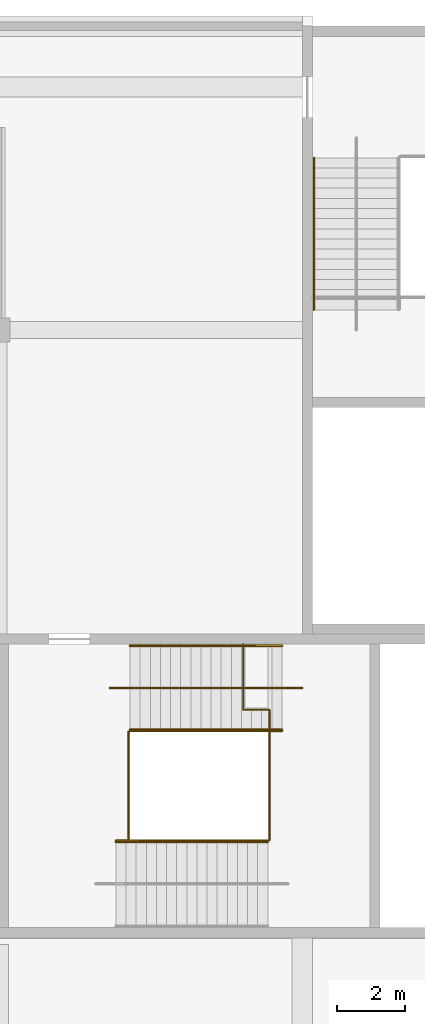
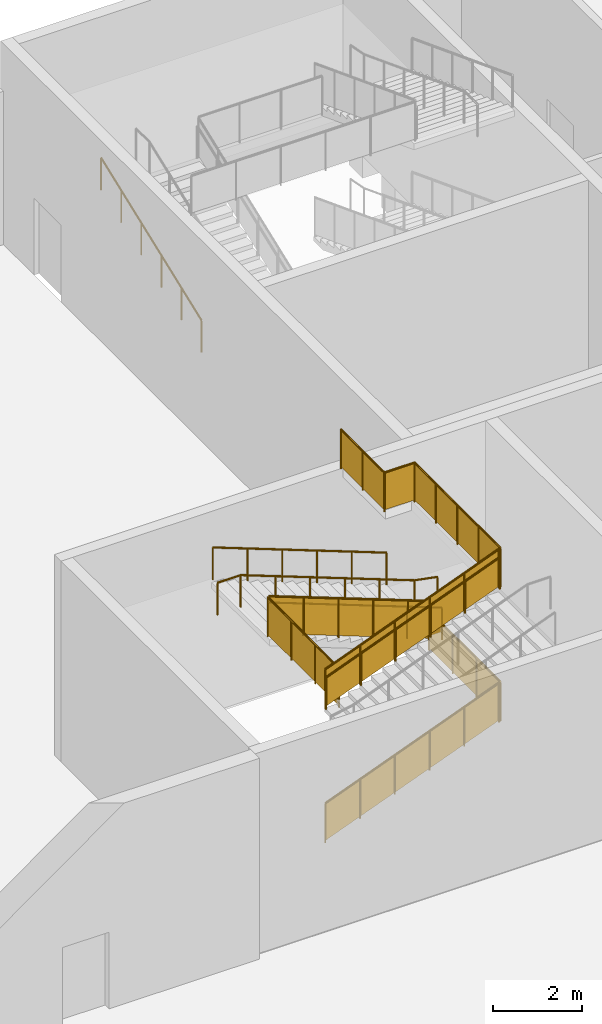
# One storey, part 68 of 84: 11 railings.
"""IFC4 building model written with IfcOpenShell, lengths in metres."""

from ifc_helpers import new_model, si_unit, direction, frame, origin, origin_2d, place, context, subcontext, project, spatial, polyline, circle, outline, extrude, material, type_object, element, save


model = new_model("IFC4")

# Units and contexts
model_context = context("Model", 3, precision=1e-05, world=origin(), true_north=direction((0.0, 1.0)))
body_context = subcontext(model_context, "Body", "Model", "MODEL_VIEW")
ifc_project = project(units=[si_unit("LENGTHUNIT", "METRE"), si_unit("AREAUNIT", "SQUARE_METRE"), si_unit("VOLUMEUNIT", "CUBIC_METRE"), si_unit("PLANEANGLEUNIT", "RADIAN"), si_unit("MASSUNIT", "GRAM", prefix="KILO")], contexts=[model_context])

# Site, building, storey
site_placement = place(None, origin())
site = spatial("IfcSite", under=ifc_project, at=site_placement, CompositionType="ELEMENT")
building_placement = place(site_placement, origin())
building = spatial("IfcBuilding", under=site, at=building_placement, Name="Silverbay Arena", CompositionType="ELEMENT")
storey_placement = place(building_placement, frame((0.0, 0.0, 28.0)))
storey = spatial("IfcBuildingStorey", under=building, at=storey_placement, Name="L04", CompositionType="ELEMENT", Elevation=28.0)

# Railings
ifc_material_1 = material(Name="Stainless steel", Category="steel")
railing_type_1 = type_object("IfcRailingType", Name="Stair guard 1100", PredefinedType="GUARDRAIL", material=ifc_material_1)
railing_1_placement = place(storey_placement, frame((174.4794921875, 38.875, 0.114501953125)))
element("IfcRailing", 1, at=railing_1_placement, inside=storey, type_object=railing_type_1, Name="Stair ST-SE1 L04 to L05 flight 1 guard left", PredefinedType="GUARDRAIL", context=body_context, shape_type="SweptSolid", body=[
    extrude(circle(Radius=0.02392578125, at=origin_2d()), frame((0.0, 0.0, 1.076171875), z_axis=(0.93417907455, 0.0, 0.356804507641), x_axis=(0.0, 1.0, 0.0)), (0.0, 0.0, 1.0), 4.817138671875),
    extrude(outline(polyline([(-0.008056640625, 0.046875), (0.907958984375, 0.396728515625), (0.907958984375, 1.39990234375), (-0.008056640625, 1.050048828125), (-0.008056640625, 0.046875)])), frame((0.0, 0.0029296875, 0.0), z_axis=(0.0, -1.0, 0.0), x_axis=(1.0, 0.0, 0.0)), (0.0, 0.0, 1.0), 0.006103515625),
    extrude(outline(polyline([(-0.008056640625, 0.390625), (0.907958984375, 0.740478515625), (0.907958984375, 1.74365234375), (-0.008056640625, 1.393798828125), (-0.008056640625, 0.390625)])), frame((0.89990234375, 0.0029296875, 0.0), z_axis=(0.0, -1.0, 0.0), x_axis=(1.0, 0.0, 0.0)), (0.0, 0.0, 1.0), 0.006103515625),
    extrude(outline(polyline([(-0.008056640625, 0.734375), (0.907958984375, 1.084228515625), (0.907958984375, 2.08740234375), (-0.008056640625, 1.737548828125), (-0.008056640625, 0.734375)])), frame((1.800048828125, 0.0029296875, 0.0), z_axis=(0.0, -1.0, 0.0), x_axis=(1.0, 0.0, 0.0)), (0.0, 0.0, 1.0), 0.006103515625),
    extrude(outline(polyline([(-0.008056640625, 1.078125), (0.907958984375, 1.427978515625), (0.907958984375, 2.43115234375), (-0.008056640625, 2.081298828125), (-0.008056640625, 1.078125)])), frame((2.699951171875, 0.0029296875, 0.0), z_axis=(0.0, -1.0, 0.0), x_axis=(1.0, 0.0, 0.0)), (0.0, 0.0, 1.0), 0.006103515625),
    extrude(outline(polyline([(-0.008056640625, 1.421875), (0.907958984375, 1.771728515625), (0.907958984375, 2.77490234375), (-0.008056640625, 2.425048828125), (-0.008056640625, 1.421875)])), frame((3.60009765625, 0.0029296875, 0.0), z_axis=(0.0, -1.0, 0.0), x_axis=(1.0, 0.0, 0.0)), (0.0, 0.0, 1.0), 0.006103515625),
    extrude(circle(Radius=0.02099609375, at=origin_2d()), origin(), (0.0, 0.0, 1.0), 1.052001953125),
    extrude(circle(Radius=0.02099609375, at=origin_2d()), frame((0.89990234375, 0.0, 0.34375)), (0.0, 0.0, 1.0), 1.052001953125),
    extrude(circle(Radius=0.02099609375, at=origin_2d()), frame((1.800048828125, 0.0, 0.6875)), (0.0, 0.0, 1.0), 1.052001953125),
    extrude(circle(Radius=0.02099609375, at=origin_2d()), frame((2.699951171875, 0.0, 1.03125)), (0.0, 0.0, 1.0), 1.052001953125),
    extrude(circle(Radius=0.02099609375, at=origin_2d()), frame((3.60009765625, 0.0, 1.375)), (0.0, 0.0, 1.0), 1.052001953125),
    extrude(circle(Radius=0.02099609375, at=origin_2d()), frame((4.5, 0.0, 1.71875)), (0.0, 0.0, 1.0), 1.052001953125),
])
railing_2_placement = place(storey_placement, frame((179.39990234375, 42.125, 1.947998046875)))
element("IfcRailing", 2, at=railing_2_placement, inside=storey, type_object=railing_type_1, Name="Stair ST-SE1 L04 to L05 flight 2 guard right", PredefinedType="GUARDRAIL", context=body_context, shape_type="SweptSolid", body=[
    extrude(circle(Radius=0.02392578125, at=origin_2d()), frame((0.0, 0.0, 1.076171875), z_axis=(-0.93417907455, 0.0, 0.356804507641), x_axis=(0.0, -1.0, 0.0)), (0.0, 0.0, 1.0), 4.817138671875),
    extrude(outline(polyline([(-0.008056640625, 0.046875), (0.907958984375, 0.396728515625), (0.907958984375, 1.39990234375), (-0.008056640625, 1.050048828125), (-0.008056640625, 0.046875)])), frame((0.0, -0.0029296875, 0.0), z_axis=(0.0, 1.0, 0.0), x_axis=(-1.0, 0.0, 0.0)), (0.0, 0.0, 1.0), 0.006103515625),
    extrude(outline(polyline([(-0.008056640625, 0.390625), (0.907958984375, 0.740478515625), (0.907958984375, 1.74365234375), (-0.008056640625, 1.393798828125), (-0.008056640625, 0.390625)])), frame((-0.89990234375, -0.0029296875, 0.0), z_axis=(0.0, 1.0, 0.0), x_axis=(-1.0, 0.0, 0.0)), (0.0, 0.0, 1.0), 0.006103515625),
    extrude(outline(polyline([(-0.008056640625, 0.734375), (0.907958984375, 1.084228515625), (0.907958984375, 2.08740234375), (-0.008056640625, 1.737548828125), (-0.008056640625, 0.734375)])), frame((-1.800048828125, -0.0029296875, 0.0), z_axis=(0.0, 1.0, 0.0), x_axis=(-1.0, 0.0, 0.0)), (0.0, 0.0, 1.0), 0.006103515625),
    extrude(outline(polyline([(-0.008056640625, 1.078125), (0.907958984375, 1.427978515625), (0.907958984375, 2.43115234375), (-0.008056640625, 2.081298828125), (-0.008056640625, 1.078125)])), frame((-2.699951171875, -0.0029296875, 0.0), z_axis=(0.0, 1.0, 0.0), x_axis=(-1.0, 0.0, 0.0)), (0.0, 0.0, 1.0), 0.006103515625),
    extrude(outline(polyline([(-0.008056640625, 1.421875), (0.907958984375, 1.771728515625), (0.907958984375, 2.77490234375), (-0.008056640625, 2.425048828125), (-0.008056640625, 1.421875)])), frame((-3.60009765625, -0.0029296875, 0.0), z_axis=(0.0, 1.0, 0.0), x_axis=(-1.0, 0.0, 0.0)), (0.0, 0.0, 1.0), 0.006103515625),
    extrude(circle(Radius=0.02099609375, at=origin_2d()), origin(), (0.0, 0.0, 1.0), 1.052001953125),
    extrude(circle(Radius=0.02099609375, at=origin_2d()), frame((-0.89990234375, 0.0, 0.34375)), (0.0, 0.0, 1.0), 1.052001953125),
    extrude(circle(Radius=0.02099609375, at=origin_2d()), frame((-1.800048828125, 0.0, 0.6875)), (0.0, 0.0, 1.0), 1.052001953125),
    extrude(circle(Radius=0.02099609375, at=origin_2d()), frame((-2.699951171875, 0.0, 1.03125)), (0.0, 0.0, 1.0), 1.052001953125),
    extrude(circle(Radius=0.02099609375, at=origin_2d()), frame((-3.60009765625, 0.0, 1.375)), (0.0, 0.0, 1.0), 1.052001953125),
    extrude(circle(Radius=0.02099609375, at=origin_2d()), frame((-4.5, 0.0, 1.71875)), (0.0, 0.0, 1.0), 1.052001953125),
])
railing_3_placement = place(storey_placement, frame((174.4794921875, 38.875, 3.78125)))
element("IfcRailing", 3, at=railing_3_placement, inside=storey, type_object=railing_type_1, Name="Stair ST-SE1 L04 to L05 flight 3 guard left", PredefinedType="GUARDRAIL", context=body_context, shape_type="SweptSolid", body=[
    extrude(circle(Radius=0.02392578125, at=origin_2d()), frame((0.0, 0.0, 1.076171875), z_axis=(0.93417907455, 0.0, 0.356804507641), x_axis=(0.0, 1.0, 0.0)), (0.0, 0.0, 1.0), 4.817138671875),
    extrude(outline(polyline([(-0.008056640625, 0.046875), (0.907958984375, 0.396728515625), (0.907958984375, 1.39990234375), (-0.008056640625, 1.050048828125), (-0.008056640625, 0.046875)])), frame((0.0, 0.0029296875, 0.0), z_axis=(0.0, -1.0, 0.0), x_axis=(1.0, 0.0, 0.0)), (0.0, 0.0, 1.0), 0.006103515625),
    extrude(outline(polyline([(-0.008056640625, 0.390625), (0.907958984375, 0.740478515625), (0.907958984375, 1.74365234375), (-0.008056640625, 1.393798828125), (-0.008056640625, 0.390625)])), frame((0.89990234375, 0.0029296875, 0.0), z_axis=(0.0, -1.0, 0.0), x_axis=(1.0, 0.0, 0.0)), (0.0, 0.0, 1.0), 0.006103515625),
    extrude(outline(polyline([(-0.008056640625, 0.734375), (0.907958984375, 1.084228515625), (0.907958984375, 2.08740234375), (-0.008056640625, 1.737548828125), (-0.008056640625, 0.734375)])), frame((1.800048828125, 0.0029296875, 0.0), z_axis=(0.0, -1.0, 0.0), x_axis=(1.0, 0.0, 0.0)), (0.0, 0.0, 1.0), 0.006103515625),
    extrude(outline(polyline([(-0.008056640625, 1.078125), (0.907958984375, 1.427978515625), (0.907958984375, 2.43115234375), (-0.008056640625, 2.081298828125), (-0.008056640625, 1.078125)])), frame((2.699951171875, 0.0029296875, 0.0), z_axis=(0.0, -1.0, 0.0), x_axis=(1.0, 0.0, 0.0)), (0.0, 0.0, 1.0), 0.006103515625),
    extrude(outline(polyline([(-0.008056640625, 1.421875), (0.907958984375, 1.771728515625), (0.907958984375, 2.77490234375), (-0.008056640625, 2.425048828125), (-0.008056640625, 1.421875)])), frame((3.60009765625, 0.0029296875, 0.0), z_axis=(0.0, -1.0, 0.0), x_axis=(1.0, 0.0, 0.0)), (0.0, 0.0, 1.0), 0.006103515625),
    extrude(circle(Radius=0.02099609375, at=origin_2d()), origin(), (0.0, 0.0, 1.0), 1.052001953125),
    extrude(circle(Radius=0.02099609375, at=origin_2d()), frame((0.89990234375, 0.0, 0.34375)), (0.0, 0.0, 1.0), 1.052001953125),
    extrude(circle(Radius=0.02099609375, at=origin_2d()), frame((1.800048828125, 0.0, 0.6875)), (0.0, 0.0, 1.0), 1.052001953125),
    extrude(circle(Radius=0.02099609375, at=origin_2d()), frame((2.699951171875, 0.0, 1.03125)), (0.0, 0.0, 1.0), 1.052001953125),
    extrude(circle(Radius=0.02099609375, at=origin_2d()), frame((3.60009765625, 0.0, 1.375)), (0.0, 0.0, 1.0), 1.052001953125),
    extrude(circle(Radius=0.02099609375, at=origin_2d()), frame((4.5, 0.0, 1.71875)), (0.0, 0.0, 1.0), 1.052001953125),
])
for number, where, name in (
    (4, (179.029541015625, 42.10009765625, 1.833251953125), "Stair ST-SE1 L04 to L05 landing 1 guard"),
    (5, (174.85009765625, 42.10009765625, 3.666748046875), "Stair ST-SE1 L04 to L05 landing 2 guard"),
):
    element("IfcRailing", number, at=place(storey_placement, frame(where)), inside=storey, type_object=railing_type_1, Name=name, PredefinedType="GUARDRAIL", context=body_context, shape_type="SweptSolid", body=[
        extrude(circle(Radius=0.02392578125, at=origin_2d()), frame((0.0, 0.0, 1.076171875), z_axis=(0.0, -1.0, 0.0), x_axis=(1.0, 0.0, 0.0)), (0.0, 0.0, 1.0), 3.2001953125),
        extrude(outline(polyline([(-0.008056640625, 0.050048828125), (1.07470703125, 0.050048828125), (1.07470703125, 1.052978515625), (-0.008056640625, 1.052978515625), (-0.008056640625, 0.050048828125)])), frame((0.0029296875, 0.0, 0.0), z_axis=(-1.0, 0.0, 0.0), x_axis=(0.0, -1.0, 0.0)), (0.0, 0.0, 1.0), 0.006103515625),
        extrude(outline(polyline([(-0.008056640625, 0.050048828125), (1.07470703125, 0.050048828125), (1.07470703125, 1.052978515625), (-0.008056640625, 1.052978515625), (-0.008056640625, 0.050048828125)])), frame((0.0029296875, -1.066650390625, 0.0), z_axis=(-1.0, 0.0, 0.0), x_axis=(0.0, -1.0, 0.0)), (0.0, 0.0, 1.0), 0.006103515625),
        extrude(outline(polyline([(-0.008056640625, 0.050048828125), (1.07470703125, 0.050048828125), (1.07470703125, 1.052978515625), (-0.008056640625, 1.052978515625), (-0.008056640625, 0.050048828125)])), frame((0.0029296875, -2.133544921875, 0.0), z_axis=(-1.0, 0.0, 0.0), x_axis=(0.0, -1.0, 0.0)), (0.0, 0.0, 1.0), 0.006103515625),
        extrude(circle(Radius=0.02099609375, at=origin_2d()), origin(), (0.0, 0.0, 1.0), 1.052001953125),
        extrude(circle(Radius=0.02099609375, at=origin_2d()), frame((0.0, -1.066650390625, 0.0)), (0.0, 0.0, 1.0), 1.052001953125),
        extrude(circle(Radius=0.02099609375, at=origin_2d()), frame((0.0, -2.133544921875, 0.0)), (0.0, 0.0, 1.0), 1.052001953125),
        extrude(circle(Radius=0.02099609375, at=origin_2d()), frame((0.0, -3.2001953125, 0.0)), (0.0, 0.0, 1.0), 1.052001953125),
    ])
railing_4_placement = place(storey_placement, frame((179.029541015625, 38.89990234375, 5.5)))
element("IfcRailing", 6, at=railing_4_placement, inside=storey, type_object=railing_type_1, Name="Stair ST-SE1 L04 to L05 landing 3 guard", PredefinedType="GUARDRAIL", context=body_context, shape_type="SweptSolid", body=[
    extrude(circle(Radius=0.02392578125, at=origin_2d()), frame((0.0, 0.0, 1.076171875), z_axis=(0.0, 1.0, 0.0), x_axis=(-1.0, 0.0, 0.0)), (0.0, 0.0, 1.0), 3.85009765625),
    extrude(outline(polyline([(-0.008056640625, 0.050048828125), (0.970458984375, 0.050048828125), (0.970458984375, 1.052978515625), (-0.008056640625, 1.052978515625), (-0.008056640625, 0.050048828125)])), frame((-0.0029296875, 0.0, 0.0), z_axis=(1.0, 0.0, 0.0), x_axis=(0.0, 1.0, 0.0)), (0.0, 0.0, 1.0), 0.006103515625),
    extrude(outline(polyline([(-0.008056640625, 0.050048828125), (0.970458984375, 0.050048828125), (0.970458984375, 1.052978515625), (-0.008056640625, 1.052978515625), (-0.008056640625, 0.050048828125)])), frame((-0.0029296875, 0.96240234375, 0.0), z_axis=(1.0, 0.0, 0.0), x_axis=(0.0, 1.0, 0.0)), (0.0, 0.0, 1.0), 0.006103515625),
    extrude(outline(polyline([(-0.008056640625, 0.050048828125), (0.970458984375, 0.050048828125), (0.970458984375, 1.052978515625), (-0.008056640625, 1.052978515625), (-0.008056640625, 0.050048828125)])), frame((-0.0029296875, 1.925048828125, 0.0), z_axis=(1.0, 0.0, 0.0), x_axis=(0.0, 1.0, 0.0)), (0.0, 0.0, 1.0), 0.006103515625),
    extrude(outline(polyline([(-0.008056640625, 0.050048828125), (0.970458984375, 0.050048828125), (0.970458984375, 1.052978515625), (-0.008056640625, 1.052978515625), (-0.008056640625, 0.050048828125)])), frame((-0.0029296875, 2.8876953125, 0.0), z_axis=(1.0, 0.0, 0.0), x_axis=(0.0, 1.0, 0.0)), (0.0, 0.0, 1.0), 0.006103515625),
    extrude(circle(Radius=0.02392578125, at=origin_2d()), frame((0.0, 3.85009765625, 1.076171875), z_axis=(-1.0, 0.0, 0.0), x_axis=(0.0, -1.0, 0.0)), (0.0, 0.0, 1.0), 0.780029296875),
    extrude(outline(polyline([(-0.008056640625, 0.050048828125), (0.7880859375, 0.050048828125), (0.7880859375, 1.052978515625), (-0.008056640625, 1.052978515625), (-0.008056640625, 0.050048828125)])), frame((0.0, 3.84716796875, 0.0), z_axis=(0.0, 1.0, 0.0), x_axis=(-1.0, 0.0, 0.0)), (0.0, 0.0, 1.0), 0.006103515625),
    extrude(circle(Radius=0.02392578125, at=origin_2d()), frame((-0.780029296875, 3.85009765625, 1.076171875), z_axis=(0.0, 1.0, 0.0), x_axis=(-1.0, 0.0, 0.0)), (0.0, 0.0, 1.0), 1.949951171875),
    extrude(outline(polyline([(-0.008056640625, 0.050048828125), (0.98291015625, 0.050048828125), (0.98291015625, 1.052978515625), (-0.008056640625, 1.052978515625), (-0.008056640625, 0.050048828125)])), frame((-0.782958984375, 3.85009765625, 0.0), z_axis=(1.0, 0.0, 0.0), x_axis=(0.0, 1.0, 0.0)), (0.0, 0.0, 1.0), 0.006103515625),
    extrude(outline(polyline([(-0.008056640625, 0.050048828125), (0.98291015625, 0.050048828125), (0.98291015625, 1.052978515625), (-0.008056640625, 1.052978515625), (-0.008056640625, 0.050048828125)])), frame((-0.782958984375, 4.8251953125, 0.0), z_axis=(1.0, 0.0, 0.0), x_axis=(0.0, 1.0, 0.0)), (0.0, 0.0, 1.0), 0.006103515625),
    extrude(circle(Radius=0.02099609375, at=origin_2d()), origin(), (0.0, 0.0, 1.0), 1.052001953125),
    extrude(circle(Radius=0.02099609375, at=origin_2d()), frame((0.0, 0.96240234375, 0.0)), (0.0, 0.0, 1.0), 1.052001953125),
    extrude(circle(Radius=0.02099609375, at=origin_2d()), frame((0.0, 1.925048828125, 0.0)), (0.0, 0.0, 1.0), 1.052001953125),
    extrude(circle(Radius=0.02099609375, at=origin_2d()), frame((0.0, 2.8876953125, 0.0)), (0.0, 0.0, 1.0), 1.052001953125),
    extrude(circle(Radius=0.02099609375, at=origin_2d()), frame((0.0, 3.85009765625, 0.0)), (0.0, 0.0, 1.0), 1.052001953125),
    extrude(circle(Radius=0.02099609375, at=origin_2d()), frame((-0.780029296875, 3.85009765625, 0.0)), (0.0, 0.0, 1.0), 1.052001953125),
    extrude(circle(Radius=0.02099609375, at=origin_2d()), frame((-0.780029296875, 4.8251953125, 0.0)), (0.0, 0.0, 1.0), 1.052001953125),
    extrude(circle(Radius=0.02099609375, at=origin_2d()), frame((-0.780029296875, 5.800048828125, 0.0)), (0.0, 0.0, 1.0), 1.052001953125),
])
ifc_material_2 = material(Name="Stainless steel", Category="steel")
railing_type_2 = type_object("IfcRailingType", Name="Stair handrail 900", PredefinedType="HANDRAIL", material=ifc_material_2)
for number, where, name in (
    (7, (179.39990234375, 44.64990234375, 1.947998046875), "Stair ST-SE1 L04 to L05 flight 2 handrail left"),
    (8, (179.39990234375, 42.1640625, 1.947998046875), "Stair ST-SE1 L04 to L05 flight 2 handrail right"),
):
    element("IfcRailing", number, at=place(storey_placement, frame(where)), inside=storey, type_object=railing_type_2, Name=name, PredefinedType="HANDRAIL", context=body_context, shape_type="SweptSolid", body=[
        extrude(circle(Radius=0.02392578125, at=origin_2d()), frame((0.0, 0.0, 0.8759765625), z_axis=(-0.93417907455, 0.0, 0.356804507641), x_axis=(0.0, -1.0, 0.0)), (0.0, 0.0, 1.0), 4.817138671875),
        extrude(circle(Radius=0.02099609375, at=origin_2d()), origin(), (0.0, 0.0, 1.0), 0.851806640625),
        extrude(circle(Radius=0.02099609375, at=origin_2d()), frame((-0.89990234375, 0.0, 0.34375)), (0.0, 0.0, 1.0), 0.851806640625),
        extrude(circle(Radius=0.02099609375, at=origin_2d()), frame((-1.800048828125, 0.0, 0.6875)), (0.0, 0.0, 1.0), 0.851806640625),
        extrude(circle(Radius=0.02099609375, at=origin_2d()), frame((-2.699951171875, 0.0, 1.03125)), (0.0, 0.0, 1.0), 0.851806640625),
        extrude(circle(Radius=0.02099609375, at=origin_2d()), frame((-3.60009765625, 0.0, 1.375)), (0.0, 0.0, 1.0), 0.851806640625),
        extrude(circle(Radius=0.02099609375, at=origin_2d()), frame((-4.5, 0.0, 1.71875)), (0.0, 0.0, 1.0), 0.851806640625),
    ])
railing_5_placement = place(storey_placement, frame((180.0, 43.39990234375, 1.833251953125)))
element("IfcRailing", 9, at=railing_5_placement, inside=storey, type_object=railing_type_2, Name="Stair ST-SE1 L04 to L05 flight 2 central handrail", PredefinedType="HANDRAIL", context=body_context, shape_type="SweptSolid", body=[
    extrude(circle(Radius=0.02392578125, at=origin_2d()), frame((0.0, 0.0, 0.8759765625), z_axis=(-0.982205411617, 0.0, 0.1878098224), x_axis=(0.0, -1.0, 0.0)), (0.0, 0.0, 1.0), 0.611083984375),
    extrude(circle(Radius=0.02392578125, at=origin_2d()), frame((-0.60009765625, 0.0, 0.99072265625), z_axis=(-0.93417907455, 0.0, 0.356804507641), x_axis=(0.0, -1.0, 0.0)), (0.0, 0.0, 1.0), 4.817138671875),
    extrude(circle(Radius=0.02392578125, at=origin_2d()), frame((-5.10009765625, 0.0, 2.70947265625), z_axis=(-1.0, 0.0, 0.0), x_axis=(0.0, -1.0, 0.0)), (0.0, 0.0, 1.0), 0.599853515625),
    extrude(circle(Radius=0.02099609375, at=origin_2d()), origin(), (0.0, 0.0, 1.0), 0.851806640625),
    extrude(circle(Radius=0.02099609375, at=origin_2d()), frame((-0.60009765625, 0.0, 0.11474609375)), (0.0, 0.0, 1.0), 0.851806640625),
    extrude(circle(Radius=0.02099609375, at=origin_2d()), frame((-1.5, 0.0, 0.45849609375)), (0.0, 0.0, 1.0), 0.851806640625),
    extrude(circle(Radius=0.02099609375, at=origin_2d()), frame((-2.400146484375, 0.0, 0.80224609375)), (0.0, 0.0, 1.0), 0.851806640625),
    extrude(circle(Radius=0.02099609375, at=origin_2d()), frame((-3.300048828125, 0.0, 1.14599609375)), (0.0, 0.0, 1.0), 0.851806640625),
    extrude(circle(Radius=0.02099609375, at=origin_2d()), frame((-4.2001953125, 0.0, 1.48974609375)), (0.0, 0.0, 1.0), 0.851806640625),
    extrude(circle(Radius=0.02099609375, at=origin_2d()), frame((-5.10009765625, 0.0, 1.83349609375)), (0.0, 0.0, 1.0), 0.851806640625),
    extrude(circle(Radius=0.02099609375, at=origin_2d()), frame((-5.699951171875, 0.0, 1.83349609375)), (0.0, 0.0, 1.0), 0.851806640625),
])
railing_6_placement = place(storey_placement, frame((174.4794921875, 38.8359375, 3.78125)))
element("IfcRailing", 10, at=railing_6_placement, inside=storey, type_object=railing_type_2, Name="Stair ST-SE1 L04 to L05 flight 3 handrail left", PredefinedType="HANDRAIL", context=body_context, shape_type="SweptSolid", body=[
    extrude(circle(Radius=0.02392578125, at=origin_2d()), frame((0.0, 0.0, 0.8759765625), z_axis=(0.93417907455, 0.0, 0.356804507641), x_axis=(0.0, 1.0, 0.0)), (0.0, 0.0, 1.0), 4.817138671875),
    extrude(circle(Radius=0.02099609375, at=origin_2d()), origin(), (0.0, 0.0, 1.0), 0.851806640625),
    extrude(circle(Radius=0.02099609375, at=origin_2d()), frame((0.89990234375, 0.0, 0.34375)), (0.0, 0.0, 1.0), 0.851806640625),
    extrude(circle(Radius=0.02099609375, at=origin_2d()), frame((1.800048828125, 0.0, 0.6875)), (0.0, 0.0, 1.0), 0.851806640625),
    extrude(circle(Radius=0.02099609375, at=origin_2d()), frame((2.699951171875, 0.0, 1.03125)), (0.0, 0.0, 1.0), 0.851806640625),
    extrude(circle(Radius=0.02099609375, at=origin_2d()), frame((3.60009765625, 0.0, 1.375)), (0.0, 0.0, 1.0), 0.851806640625),
    extrude(circle(Radius=0.02099609375, at=origin_2d()), frame((4.5, 0.0, 1.71875)), (0.0, 0.0, 1.0), 0.851806640625),
])
railing_7_placement = place(storey_placement, frame((180.35009765625, 54.60009765625, 1.947998046875)))
element("IfcRailing", 11, at=railing_7_placement, inside=storey, type_object=railing_type_2, Name="Stair ST-SE2 L04 to L05 flight 2 handrail left", PredefinedType="HANDRAIL", context=body_context, shape_type="SweptSolid", body=[
    extrude(circle(Radius=0.02392578125, at=origin_2d()), frame((0.0, 0.0, 0.8759765625), z_axis=(0.0, 0.93417907455, 0.356804507641), x_axis=(-1.0, 0.0, 0.0)), (0.0, 0.0, 1.0), 4.817138671875),
    extrude(circle(Radius=0.02099609375, at=origin_2d()), origin(), (0.0, 0.0, 1.0), 0.851806640625),
    extrude(circle(Radius=0.02099609375, at=origin_2d()), frame((0.0, 0.89990234375, 0.34375)), (0.0, 0.0, 1.0), 0.851806640625),
    extrude(circle(Radius=0.02099609375, at=origin_2d()), frame((0.0, 1.800048828125, 0.6875)), (0.0, 0.0, 1.0), 0.851806640625),
    extrude(circle(Radius=0.02099609375, at=origin_2d()), frame((0.0, 2.699951171875, 1.03125)), (0.0, 0.0, 1.0), 0.851806640625),
    extrude(circle(Radius=0.02099609375, at=origin_2d()), frame((0.0, 3.60009765625, 1.375)), (0.0, 0.0, 1.0), 0.851806640625),
    extrude(circle(Radius=0.02099609375, at=origin_2d()), frame((0.0, 4.5, 1.71875)), (0.0, 0.0, 1.0), 0.851806640625),
])

save(model, "model.ifc")
